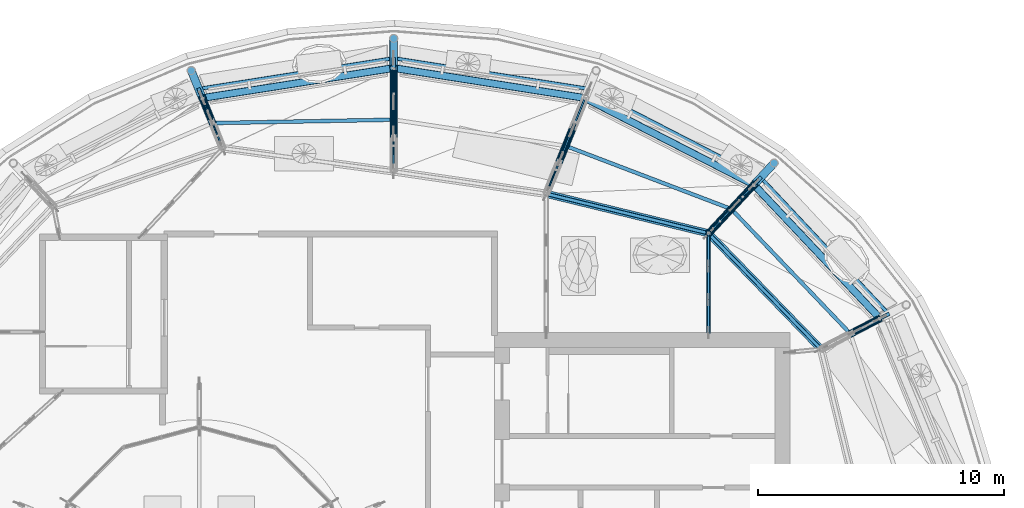
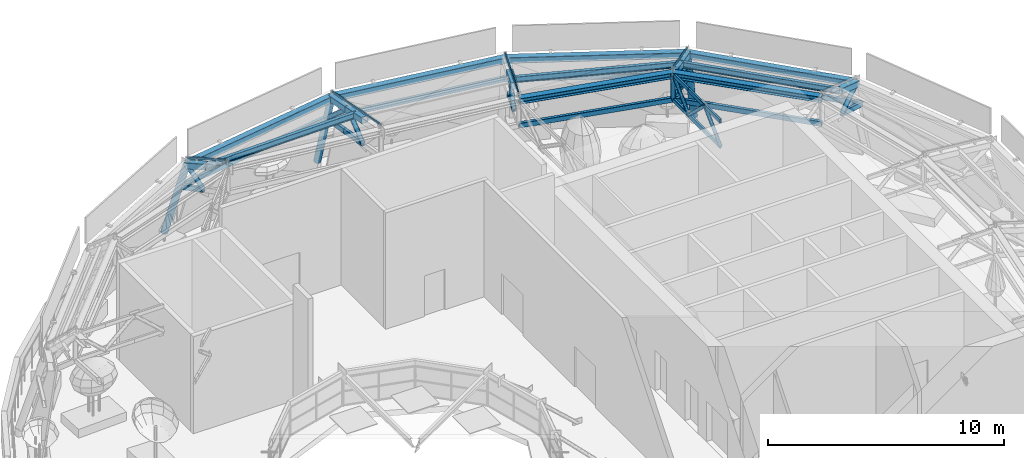
# One storey, part 13 of 40: 41 members, 12 beams, 2 elements without a shape of their own.
"""IFC4 building model written with IfcOpenShell, lengths in metres."""

from ifc_helpers import new_model, si_unit, direction, frame, origin, origin_2d, place, context, subcontext, project, spatial, rectangle, hollow_rectangle, hollow_circle, i_section, extrude, material, material_profile, profile_set, type_object, element, aggregate, save


model = new_model("IFC4")

# Units and contexts
model_context = context("Model", 3, precision=1e-05, world=origin(), true_north=direction((0.0, 1.0)))
body_context = subcontext(model_context, "Body", "Model", "MODEL_VIEW")
ifc_project = project(units=[si_unit("LENGTHUNIT", "METRE"), si_unit("AREAUNIT", "SQUARE_METRE"), si_unit("VOLUMEUNIT", "CUBIC_METRE"), si_unit("PLANEANGLEUNIT", "RADIAN"), si_unit("MASSUNIT", "GRAM", prefix="KILO")], contexts=[model_context])

# Site, building, storey
site_placement = place(None, origin())
site = spatial("IfcSite", under=ifc_project, at=site_placement, CompositionType="ELEMENT")
building_placement = place(site_placement, origin())
building = spatial("IfcBuilding", under=site, at=building_placement, Name="Taillehof Tower", CompositionType="ELEMENT")
storey_placement = place(building_placement, frame((0.0, 0.0, 275.199951171875)))
storey = spatial("IfcBuildingStorey", under=building, at=storey_placement, Name="L77", CompositionType="ELEMENT", Elevation=275.199951171875)

# Beams
ifc_material_1 = material(Name="Steel S460M", Category="steel")
ifc_material_profile_1 = material_profile(ifc_material_1, i_section(OverallWidth=0.300048828125, OverallDepth=0.2900390625, WebThickness=0.008544921875, FlangeThickness=0.013916015625, FilletRadius=0.027099609375, at=origin_2d()), Name="HEA 300")
ifc_profile_set_1 = profile_set([ifc_material_profile_1], Name="Steel S460M")
beam_type_1 = type_object("IfcBeamType", Name="Canopy apex ring beam HEA 300", PredefinedType="BEAM", material=ifc_profile_set_1)
beam_1_placement = place(storey_placement, frame((17.267333984375, 9.326416015625, 5.10009765625), z_axis=(-0.696492292005, 0.7175642739, 0.0), x_axis=(-0.7175642739, -0.696492292005, 0.0)))
element("IfcBeam", 1, at=beam_1_placement, inside=storey, type_object=beam_type_1, Name="Canopy ring beam CR20", PredefinedType="BEAM", context=body_context, shape_type="SweptSolid", body=[
    extrude(i_section(OverallWidth=0.300048828125, OverallDepth=0.2900390625, WebThickness=0.008544921875, FlangeThickness=0.013916015625, FilletRadius=0.027099609375, at=origin_2d()), origin(), (0.0, 0.0, 1.0), 6.5576171875),
])
beam_2_placement = place(storey_placement, frame((12.699951171875, 14.031982421875, 5.10009765625), z_axis=(-0.971635685089, 0.236482759334, 0.0), x_axis=(-0.236482759334, -0.971635685089, 0.0)))
element("IfcBeam", 2, at=beam_2_placement, inside=storey, type_object=beam_type_1, Name="Canopy ring beam CR21", PredefinedType="BEAM", context=body_context, shape_type="SweptSolid", body=[
    extrude(i_section(OverallWidth=0.300048828125, OverallDepth=0.2900390625, WebThickness=0.008544921875, FlangeThickness=0.013916015625, FilletRadius=0.027099609375, at=origin_2d()), origin(), (0.0, 0.0, 1.0), 6.791015625),
])

# Curtain wall, member
ifc_material_2 = material(Name="Aluminium glazing bars with clear laminated safety glass", Category="aluminium")
curtain_wall_type = type_object("IfcCurtainWallType", Name="Canopy glazing", PredefinedType="NOTDEFINED", material=ifc_material_2)
curtain_wall_1_placement = place(storey_placement, origin())
curtain_wall_1 = element("IfcCurtainWall", 3, at=curtain_wall_1_placement, inside=storey, type_object=curtain_wall_type, Name="Canopy glazing 1", PredefinedType="NOTDEFINED")
ifc_material_3 = material(Name="Aluminium glazing bar", Category="aluminium")
ifc_material_profile_2 = material_profile(ifc_material_3, rectangle(XDim=0.06005859375, YDim=0.070068359375, at=origin_2d()), Name="AL 60x70")
ifc_profile_set_2 = profile_set([ifc_material_profile_2], Name="Aluminium glazing bar")
member_type_1 = type_object("IfcMemberType", Name="Canopy glazing bar 60x70", PredefinedType="USERDEFINED", material=ifc_profile_set_2)
member_1_placement = place(storey_placement, frame((14.541015625, 16.007080078125, 4.61767578125), z_axis=(-0.653756128122, -0.701350891991, 0.284094792714), x_axis=(0.731491106934, -0.681850981136, 0.0)))
member_1 = element("IfcMember", 4, at=member_1_placement, type_object=member_type_1, Name="Canopy glazing bar 3", ObjectType="TRANSOM", PredefinedType="USERDEFINED", context=body_context, shape_type="SweptSolid", body=[
    extrude(rectangle(XDim=0.06005859375, YDim=0.070068359375, at=origin_2d()), origin(), (0.0, 0.0, 1.0), 2.816162109375),
])
aggregate(curtain_wall_1, [member_1])

# Curtain wall, members
curtain_wall_2_placement = place(storey_placement, origin())
curtain_wall_2 = element("IfcCurtainWall", 5, at=curtain_wall_2_placement, inside=storey, type_object=curtain_wall_type, Name="Canopy glazing 2", PredefinedType="NOTDEFINED")
member_2_placement = place(storey_placement, frame((7.676025390625, 19.531982421875, 4.61767578125), z_axis=(-0.368324037721, -0.910675616438, 0.187102444832), x_axis=(0.927046887199, -0.374945421274, 0.0)))
member_2 = element("IfcMember", 6, at=member_2_placement, type_object=member_type_1, Name="Canopy glazing bar 4", ObjectType="TRANSOM", PredefinedType="USERDEFINED", context=body_context, shape_type="SweptSolid", body=[
    extrude(rectangle(XDim=0.06005859375, YDim=0.070068359375, at=origin_2d()), origin(), (0.0, 0.0, 1.0), 4.27587890625),
])
member_3_placement = place(storey_placement, frame((-0.10009765625, 20.75, 4.626220703125), z_axis=(0.0, -0.982336067315, 0.187125227727), x_axis=(1.0, 0.0, 0.0)))
member_3 = element("IfcMember", 7, at=member_3_placement, type_object=member_type_1, Name="Canopy glazing bar 5", ObjectType="TRANSOM", PredefinedType="USERDEFINED", context=body_context, shape_type="SweptSolid", body=[
    extrude(rectangle(XDim=0.06005859375, YDim=0.070068359375, at=origin_2d()), origin(), (0.0, 0.0, 1.0), 4.275390625),
])
member_4_placement = place(storey_placement, frame((-7.8759765625, 19.531982421875, 4.658203125), z_axis=(0.35232511287, -0.871272164291, 0.341689669983), x_axis=(0.927069869209, 0.374888593592, 0.0)))
member_4 = element("IfcMember", 8, at=member_4_placement, type_object=member_type_1, Name="Canopy glazing bar 6", ObjectType="TRANSOM", PredefinedType="USERDEFINED", context=body_context, shape_type="SweptSolid", body=[
    extrude(rectangle(XDim=0.06005859375, YDim=0.070068359375, at=origin_2d()), origin(), (0.0, 0.0, 1.0), 2.341552734375),
])
aggregate(curtain_wall_2, [member_2, member_3, member_4])

# Member
ifc_material_4 = material(Name="Steel S460M", Category="steel")
ifc_material_profile_3 = material_profile(ifc_material_4, hollow_circle(Radius=0.109619140625, WallThickness=0.012451171875, at=origin_2d()), Name="CHS 219.1x12.5")
ifc_profile_set_3 = profile_set([ifc_material_profile_3], Name="Steel S460M")
member_type_2 = type_object("IfcMemberType", Name="Canopy inner ring post CHS 219.1x12.5", PredefinedType="POST", material=ifc_profile_set_3)
member_5_placement = place(storey_placement, frame((12.699951171875, 14.031982421875, 3.800048828125), z_axis=(0.0, 0.0, 1.0), x_axis=(1.0, 0.0, 0.0)))
element("IfcMember", 9, at=member_5_placement, inside=storey, type_object=member_type_2, Name="Canopy ring post RP03", PredefinedType="POST", context=body_context, shape_type="SweptSolid", body=[
    extrude(hollow_circle(Radius=0.109619140625, WallThickness=0.012451171875, at=origin_2d()), origin(), (0.0, 0.0, 1.0), 1.300048828125),
])

# Beams
ifc_material_5 = material(Name="Steel S460M", Category="steel")
ifc_material_profile_4 = material_profile(ifc_material_5, hollow_rectangle(XDim=0.14990234375, YDim=0.25, WallThickness=0.010009765625, InnerFilletRadius=0.010009765625, OuterFilletRadius=0.014892578125, at=origin_2d()), Name="RHS 250x150x10")
ifc_profile_set_4 = profile_set([ifc_material_profile_4], Name="Steel S460M")
beam_type_2 = type_object("IfcBeamType", Name="Canopy lower ring beam RHS 250x150x10", PredefinedType="BEAM", material=ifc_profile_set_4)
beam_3_placement = place(storey_placement, frame((20.01806640625, 10.756103515625, 3.0), z_axis=(-0.684472827532, 0.729038372358, 0.0), x_axis=(-0.729038372358, -0.684472827532, 0.0)))
element("IfcBeam", 10, at=beam_3_placement, inside=storey, type_object=beam_type_2, Name="Canopy lower ring beam CB02", PredefinedType="BEAM", context=body_context, shape_type="SweptSolid", body=[
    extrude(hollow_rectangle(XDim=0.14990234375, YDim=0.25, WallThickness=0.010009765625, InnerFilletRadius=0.010009765625, OuterFilletRadius=0.014892578125, at=origin_2d()), origin(), (0.0, 0.0, 1.0), 7.603759765625),
])
beam_4_placement = place(storey_placement, frame((14.8134765625, 16.299560546875, 3.0), z_axis=(-0.888805934335, 0.458283766995, 0.0), x_axis=(-0.458283766995, -0.888805934335, 0.0)))
element("IfcBeam", 11, at=beam_4_placement, inside=storey, type_object=beam_type_2, Name="Canopy lower ring beam CB03", PredefinedType="BEAM", context=body_context, shape_type="SweptSolid", body=[
    extrude(hollow_rectangle(XDim=0.14990234375, YDim=0.25, WallThickness=0.010009765625, InnerFilletRadius=0.010009765625, OuterFilletRadius=0.014892578125, at=origin_2d()), origin(), (0.0, 0.0, 1.0), 7.862060546875),
])
beam_5_placement = place(storey_placement, frame((7.82568359375, 19.902587890625, 3.0), z_axis=(-0.987842035216, 0.155460970858, 0.0), x_axis=(-0.155460970858, -0.987842035216, 0.0)))
element("IfcBeam", 12, at=beam_5_placement, inside=storey, type_object=beam_type_2, Name="Canopy lower ring beam CB04", PredefinedType="BEAM", context=body_context, shape_type="SweptSolid", body=[
    extrude(hollow_rectangle(XDim=0.14990234375, YDim=0.25, WallThickness=0.010009765625, InnerFilletRadius=0.010009765625, OuterFilletRadius=0.014892578125, at=origin_2d()), origin(), (0.0, 0.0, 1.0), 8.0234375),
])
beam_6_placement = place(storey_placement, frame((-0.10009765625, 21.14990234375, 3.0), z_axis=(-0.987841299775, -0.155465643981, 0.0), x_axis=(0.155465643981, -0.987841299775, 0.0)))
element("IfcBeam", 13, at=beam_6_placement, inside=storey, type_object=beam_type_2, Name="Canopy lower ring beam CB05", PredefinedType="BEAM", context=body_context, shape_type="SweptSolid", body=[
    extrude(hollow_rectangle(XDim=0.14990234375, YDim=0.25, WallThickness=0.010009765625, InnerFilletRadius=0.010009765625, OuterFilletRadius=0.014892578125, at=origin_2d()), origin(), (0.0, 0.0, 1.0), 8.023193359375),
])
beam_7_placement = place(storey_placement, frame((17.267333984375, 9.326416015625, 3.800048828125), z_axis=(-0.696492292005, 0.7175642739, 0.0), x_axis=(-0.7175642739, -0.696492292005, 0.0)))
element("IfcBeam", 14, at=beam_7_placement, inside=storey, type_object=beam_type_2, Name="Canopy lower ring beam CB20", PredefinedType="BEAM", context=body_context, shape_type="SweptSolid", body=[
    extrude(hollow_rectangle(XDim=0.14990234375, YDim=0.25, WallThickness=0.010009765625, InnerFilletRadius=0.010009765625, OuterFilletRadius=0.014892578125, at=origin_2d()), origin(), (0.0, 0.0, 1.0), 6.5576171875),
])
beam_8_placement = place(storey_placement, frame((12.699951171875, 14.031982421875, 3.800048828125), z_axis=(-0.971635685089, 0.236482759334, 0.0), x_axis=(-0.236482759334, -0.971635685089, 0.0)))
element("IfcBeam", 15, at=beam_8_placement, inside=storey, type_object=beam_type_2, Name="Canopy lower ring beam CB21", PredefinedType="BEAM", context=body_context, shape_type="SweptSolid", body=[
    extrude(hollow_rectangle(XDim=0.14990234375, YDim=0.25, WallThickness=0.010009765625, InnerFilletRadius=0.010009765625, OuterFilletRadius=0.014892578125, at=origin_2d()), origin(), (0.0, 0.0, 1.0), 6.791015625),
])

# Members
ifc_material_6 = material(Name="Steel S460M", Category="steel")
ifc_material_profile_5 = material_profile(ifc_material_6, i_section(OverallWidth=0.14990234375, OverallDepth=0.300048828125, WebThickness=0.007080078125, FlangeThickness=0.0107421875, FilletRadius=0.014892578125, at=origin_2d()), Name="IPE 300")
ifc_profile_set_5 = profile_set([ifc_material_profile_5], Name="Steel S460M")
member_type_3 = type_object("IfcMemberType", Name="Canopy purlin IPE 300", PredefinedType="PURLIN", material=ifc_profile_set_5)
member_6_placement = place(storey_placement, frame((18.465087890625, 9.948974609375, 4.699951171875), z_axis=(-0.690804390153, 0.72304169627, 0.0), x_axis=(-0.72304169627, -0.690804390153, 0.0)))
element("IfcMember", 16, at=member_6_placement, inside=storey, type_object=member_type_3, Name="Canopy purlin CP02", PredefinedType="PURLIN", context=body_context, shape_type="SweptSolid", body=[
    extrude(i_section(OverallWidth=0.14990234375, OverallDepth=0.300048828125, WebThickness=0.007080078125, FlangeThickness=0.0107421875, FilletRadius=0.014892578125, at=origin_2d()), origin(), (0.0, 0.0, 1.0), 7.0126953125),
])
member_7_placement = place(storey_placement, frame((13.62060546875, 15.01953125, 4.699951171875), z_axis=(-0.934451225328, 0.356091150526, 0.0), x_axis=(-0.356091150526, -0.934451225328, 0.0)))
element("IfcMember", 17, at=member_7_placement, inside=storey, type_object=member_type_3, Name="Canopy purlin CP03", PredefinedType="PURLIN", context=body_context, shape_type="SweptSolid", body=[
    extrude(i_section(OverallWidth=0.14990234375, OverallDepth=0.300048828125, WebThickness=0.007080078125, FlangeThickness=0.0107421875, FilletRadius=0.014892578125, at=origin_2d()), origin(), (0.0, 0.0, 1.0), 7.204345703125),
])
member_8_placement = place(storey_placement, frame((-0.10009765625, 18.64990234375, 4.699951171875), z_axis=(-0.999824575626, -0.018730135452, 0.0), x_axis=(0.018730135452, -0.999824575626, 0.0)))
element("IfcMember", 18, at=member_8_placement, inside=storey, type_object=member_type_3, Name="Canopy purlin CP05", PredefinedType="PURLIN", context=body_context, shape_type="SweptSolid", body=[
    extrude(i_section(OverallWidth=0.14990234375, OverallDepth=0.300048828125, WebThickness=0.007080078125, FlangeThickness=0.0107421875, FilletRadius=0.014892578125, at=origin_2d()), origin(), (0.0, 0.0, 1.0), 7.364501953125),
])
ifc_material_7 = material(Name="Steel S460M", Category="steel")
ifc_material_profile_6 = material_profile(ifc_material_7, hollow_rectangle(XDim=0.300048828125, YDim=0.300048828125, WallThickness=0.012451171875, InnerFilletRadius=0.012451171875, OuterFilletRadius=0.018798828125, at=origin_2d()), Name="RHS 300x300x12.5")
ifc_profile_set_6 = profile_set([ifc_material_profile_6], Name="Steel S460M")
member_type_4 = type_object("IfcMemberType", Name="Canopy rafter RHS 300x300x12.5", PredefinedType="RAFTER", material=ifc_profile_set_6)
for number, where, z_axis, x_axis, name in (
    (19, (19.6630859375, 10.571533203125, 4.300048828125), (-0.850752269432, -0.442196960263, 0.284046518004), (0.461193280732, -0.887299700106, 0.0), "Canopy rafter 02 top chord 1"),
    (20, (14.540771484375, 16.007080078125, 4.300048828125), (-0.653722583139, -0.701407917453, 0.284031191295), (0.731536206298, -0.681802595239, 0.0), "Canopy rafter 03 top chord 1"),
    (21, (13.620361328125, 15.01953125, 4.699951171875), (-0.653690378969, -0.701373364172, 0.284190591812), (0.731536206298, -0.681802595239, 0.0), "Canopy rafter 03 top chord 2"),
):
    element("IfcMember", number, at=place(storey_placement, frame(where, z_axis=z_axis, x_axis=x_axis)), inside=storey, type_object=member_type_4, Name=name, PredefinedType="RAFTER", context=body_context, shape_type="SweptSolid", body=[
        extrude(hollow_rectangle(XDim=0.300048828125, YDim=0.300048828125, WallThickness=0.012451171875, InnerFilletRadius=0.012451171875, OuterFilletRadius=0.018798828125, at=origin_2d()), origin(), (0.0, 0.0, 1.0), 1.407958984375),
    ])
for number, where, z_axis, x_axis, name in (
    (22, (7.15087890625, 18.23388671875, 4.566650390625), (-0.368157034019, -0.910713258653, 0.187247853971), (0.927111355039, -0.374785986076, 0.0), "Canopy rafter 04 top chord 2"),
    (23, (-0.10009765625, 20.75, 4.300048828125), (0.0, -0.982344563966, 0.187080618042), (1.0, 0.0, 0.0), "Canopy rafter 05 top chord 1"),
):
    element("IfcMember", number, at=place(storey_placement, frame(where, z_axis=z_axis, x_axis=x_axis)), inside=storey, type_object=member_type_4, Name=name, PredefinedType="RAFTER", context=body_context, shape_type="SweptSolid", body=[
        extrude(hollow_rectangle(XDim=0.300048828125, YDim=0.300048828125, WallThickness=0.012451171875, InnerFilletRadius=0.012451171875, OuterFilletRadius=0.018798828125, at=origin_2d()), origin(), (0.0, 0.0, 1.0), 1.425048828125),
    ])
member_9_placement = place(storey_placement, frame((-0.10009765625, 19.35009765625, 4.566650390625), z_axis=(0.0, -0.982319071342, 0.187214428069), x_axis=(1.0, 0.0, 0.0)))
element("IfcMember", 24, at=member_9_placement, inside=storey, type_object=member_type_4, Name="Canopy rafter 05 top chord 2", PredefinedType="RAFTER", context=body_context, shape_type="SweptSolid", body=[
    extrude(hollow_rectangle(XDim=0.300048828125, YDim=0.300048828125, WallThickness=0.012451171875, InnerFilletRadius=0.012451171875, OuterFilletRadius=0.018798828125, at=origin_2d()), origin(), (0.0, 0.0, 1.0), 1.42529296875),
])
member_10_placement = place(storey_placement, frame((-7.875732421875, 19.53173828125, 4.300048828125), z_axis=(0.352310350858, -0.871284982553, 0.341672205272), x_axis=(0.92707724492, 0.374870353524, 0.0)))
element("IfcMember", 25, at=member_10_placement, inside=storey, type_object=member_type_4, Name="Canopy rafter 06 top chord 1", PredefinedType="RAFTER", context=body_context, shape_type="SweptSolid", body=[
    extrude(hollow_rectangle(XDim=0.300048828125, YDim=0.300048828125, WallThickness=0.012451171875, InnerFilletRadius=0.012451171875, OuterFilletRadius=0.018798828125, at=origin_2d()), origin(), (0.0, 0.0, 1.0), 1.17041015625),
])
ifc_material_8 = material(Name="Steel S460M", Category="steel")
ifc_material_profile_7 = material_profile(ifc_material_8, hollow_rectangle(XDim=0.14990234375, YDim=0.25, WallThickness=0.010009765625, InnerFilletRadius=0.010009765625, OuterFilletRadius=0.014892578125, at=origin_2d()), Name="RHS 250x150x10")
ifc_profile_set_7 = profile_set([ifc_material_profile_7], Name="Steel S460M")
member_type_5 = type_object("IfcMemberType", Name="Canopy rafter bottom chord RHS 250x150x10", PredefinedType="CHORD", material=ifc_profile_set_7)
for number, where, z_axis, x_axis, name in (
    (26, (20.01806640625, 10.756103515625, 3.0), (-0.859122412204, -0.44656673583, 0.249973661211), (0.461208902357, -0.887291580252, 0.0), "Canopy rafter 02 bottom chord 1"),
    (27, (14.8134765625, 16.299560546875, 3.0), (-0.660217763899, -0.70825855753, 0.249964637337), (0.73147939547, -0.681863545002, 0.0), "Canopy rafter 03 bottom chord 1"),
):
    element("IfcMember", number, at=place(storey_placement, frame(where, z_axis=z_axis, x_axis=x_axis)), inside=storey, type_object=member_type_5, Name=name, PredefinedType="CHORD", context=body_context, shape_type="SweptSolid", body=[
        extrude(hollow_rectangle(XDim=0.14990234375, YDim=0.25, WallThickness=0.010009765625, InnerFilletRadius=0.010009765625, OuterFilletRadius=0.014892578125, at=origin_2d()), origin(), (0.0, 0.0, 1.0), 1.600830078125),
    ])
member_11_placement = place(storey_placement, frame((13.756591796875, 15.165771484375, 3.400146484375), z_axis=(-0.660156882364, -0.708356876547, 0.249846805294), x_axis=(0.731557960496, -0.681779253451, 0.0)))
element("IfcMember", 28, at=member_11_placement, inside=storey, type_object=member_type_5, Name="Canopy rafter 03 bottom chord 2", PredefinedType="CHORD", context=body_context, shape_type="SweptSolid", body=[
    extrude(hollow_rectangle(XDim=0.14990234375, YDim=0.25, WallThickness=0.010009765625, InnerFilletRadius=0.010009765625, OuterFilletRadius=0.014892578125, at=origin_2d()), origin(), (0.0, 0.0, 1.0), 1.6005859375),
])
member_12_placement = place(storey_placement, frame((7.2509765625, 18.481201171875, 3.2666015625), z_axis=(-0.369242777482, -0.913381772845, 0.171445350802), x_axis=(0.927108888624, -0.374792087209, 0.0)))
element("IfcMember", 29, at=member_12_placement, inside=storey, type_object=member_type_5, Name="Canopy rafter 04 bottom chord 2", PredefinedType="CHORD", context=body_context, shape_type="SweptSolid", body=[
    extrude(hollow_rectangle(XDim=0.14990234375, YDim=0.25, WallThickness=0.010009765625, InnerFilletRadius=0.010009765625, OuterFilletRadius=0.014892578125, at=origin_2d()), origin(), (0.0, 0.0, 1.0), 1.556396484375),
])
member_13_placement = place(storey_placement, frame((-0.10009765625, 21.14990234375, 3.0), z_axis=(0.0, -0.985216360162, 0.171314691926), x_axis=(1.0, 0.0, 0.0)))
element("IfcMember", 30, at=member_13_placement, inside=storey, type_object=member_type_5, Name="Canopy rafter 05 bottom chord 1", PredefinedType="CHORD", context=body_context, shape_type="SweptSolid", body=[
    extrude(hollow_rectangle(XDim=0.14990234375, YDim=0.25, WallThickness=0.010009765625, InnerFilletRadius=0.010009765625, OuterFilletRadius=0.014892578125, at=origin_2d()), origin(), (0.0, 0.0, 1.0), 1.55615234375),
])
member_14_placement = place(storey_placement, frame((-0.10009765625, 19.61669921875, 3.2666015625), z_axis=(0.0, -0.985194481582, 0.171440466227), x_axis=(1.0, 0.0, 0.0)))
element("IfcMember", 31, at=member_14_placement, inside=storey, type_object=member_type_5, Name="Canopy rafter 05 bottom chord 2", PredefinedType="CHORD", context=body_context, shape_type="SweptSolid", body=[
    extrude(hollow_rectangle(XDim=0.14990234375, YDim=0.25, WallThickness=0.010009765625, InnerFilletRadius=0.010009765625, OuterFilletRadius=0.014892578125, at=origin_2d()), origin(), (0.0, 0.0, 1.0), 1.556396484375),
])
member_15_placement = place(storey_placement, frame((-8.025634765625, 19.902587890625, 3.0), z_axis=(0.3582932524, -0.886039826576, 0.294209739821), x_axis=(0.927071181595, 0.374885348149, 0.0)))
element("IfcMember", 32, at=member_15_placement, inside=storey, type_object=member_type_5, Name="Canopy rafter 06 bottom chord 1", PredefinedType="CHORD", context=body_context, shape_type="SweptSolid", body=[
    extrude(hollow_rectangle(XDim=0.14990234375, YDim=0.25, WallThickness=0.010009765625, InnerFilletRadius=0.010009765625, OuterFilletRadius=0.014892578125, at=origin_2d()), origin(), (0.0, 0.0, 1.0), 1.360107421875),
])
ifc_material_9 = material(Name="Steel S460M", Category="steel")
ifc_material_profile_8 = material_profile(ifc_material_9, hollow_circle(Radius=0.109619140625, WallThickness=0.012451171875, at=origin_2d()), Name="CHS 219.1x12.5")
ifc_profile_set_8 = profile_set([ifc_material_profile_8], Name="Steel S460M")
member_type_6 = type_object("IfcMemberType", Name="Canopy rafter diagonal CHS 219.1x12.5", PredefinedType="BRACE", material=ifc_profile_set_8)
member_16_placement = place(storey_placement, frame((19.6630859375, 10.571533203125, 4.300048828125), z_axis=(-0.698753025013, -0.363170990746, -0.616320567169), x_axis=(0.461172223193, -0.887310644901, 0.0)))
element("IfcMember", 33, at=member_16_placement, inside=storey, type_object=member_type_6, Name="Canopy rafter 02 diagonal 1", PredefinedType="BRACE", context=body_context, shape_type="SweptSolid", body=[
    extrude(hollow_circle(Radius=0.109619140625, WallThickness=0.012451171875, at=origin_2d()), origin(), (0.0, 0.0, 1.0), 1.460205078125),
])
member_17_placement = place(storey_placement, frame((14.540771484375, 16.007080078125, 4.300048828125), z_axis=(-0.536988195948, -0.576108755677, -0.616232406682), x_axis=(0.731506890134, -0.681834048494, 0.0)))
element("IfcMember", 34, at=member_17_placement, inside=storey, type_object=member_type_6, Name="Canopy rafter 03 diagonal 1", PredefinedType="BRACE", context=body_context, shape_type="SweptSolid", body=[
    extrude(hollow_circle(Radius=0.109619140625, WallThickness=0.012451171875, at=origin_2d()), origin(), (0.0, 0.0, 1.0), 1.46044921875),
])
member_18_placement = place(storey_placement, frame((13.756591796875, 15.165771484375, 3.400146484375), z_axis=(-0.459330782079, -0.492867872453, 0.738983418581), x_axis=(0.731557960496, -0.681779253451, 0.0)))
element("IfcMember", 35, at=member_18_placement, inside=storey, type_object=member_type_6, Name="Canopy rafter 03 diagonal 2", PredefinedType="BRACE", context=body_context, shape_type="SweptSolid", body=[
    extrude(hollow_circle(Radius=0.109619140625, WallThickness=0.012451171875, at=origin_2d()), origin(), (0.0, 0.0, 1.0), 2.30029296875),
])
member_19_placement = place(storey_placement, frame((7.15087890625, 18.23388671875, 4.566650390625), z_axis=(-0.29035935354, -0.718430293481, -0.632099168818), x_axis=(0.927141412931, -0.374711623022, 0.0)))
element("IfcMember", 36, at=member_19_placement, inside=storey, type_object=member_type_6, Name="Canopy rafter 04 diagonal 2", PredefinedType="BRACE", context=body_context, shape_type="SweptSolid", body=[
    extrude(hollow_circle(Radius=0.109619140625, WallThickness=0.012451171875, at=origin_2d()), origin(), (0.0, 0.0, 1.0), 1.634521484375),
])
member_20_placement = place(storey_placement, frame((-0.10009765625, 21.14990234375, 3.0), z_axis=(0.0, -0.754272815944, 0.656561131296), x_axis=(1.0, 0.0, 0.0)))
element("IfcMember", 37, at=member_20_placement, inside=storey, type_object=member_type_6, Name="Canopy rafter 05 diagonal 1", PredefinedType="BRACE", context=body_context, shape_type="SweptSolid", body=[
    extrude(hollow_circle(Radius=0.109619140625, WallThickness=0.012451171875, at=origin_2d()), origin(), (0.0, 0.0, 1.0), 2.38623046875),
])
member_21_placement = place(storey_placement, frame((-0.10009765625, 19.35009765625, 4.566650390625), z_axis=(0.0, -0.774947790015, -0.632025254836), x_axis=(1.0, 0.0, 0.0)))
element("IfcMember", 38, at=member_21_placement, inside=storey, type_object=member_type_6, Name="Canopy rafter 05 diagonal 2", PredefinedType="BRACE", context=body_context, shape_type="SweptSolid", body=[
    extrude(hollow_circle(Radius=0.109619140625, WallThickness=0.012451171875, at=origin_2d()), origin(), (0.0, 0.0, 1.0), 1.634765625),
])
member_22_placement = place(storey_placement, frame((-7.875732421875, 19.53173828125, 4.300048828125), z_axis=(0.265120903772, -0.65551239377, -0.707116969106), x_axis=(0.927047874572, 0.37494298, 0.0)))
element("IfcMember", 39, at=member_22_placement, inside=storey, type_object=member_type_6, Name="Canopy rafter 06 diagonal 1", PredefinedType="BRACE", context=body_context, shape_type="SweptSolid", body=[
    extrude(hollow_circle(Radius=0.109619140625, WallThickness=0.012451171875, at=origin_2d()), origin(), (0.0, 0.0, 1.0), 1.272705078125),
])
ifc_material_10 = material(Name="Steel S460M", Category="steel")
ifc_material_profile_9 = material_profile(ifc_material_10, hollow_circle(Radius=0.161865234375, WallThickness=0.01611328125, at=origin_2d()), Name="CHS 323.9x16")
ifc_profile_set_9 = profile_set([ifc_material_profile_9], Name="Steel S460M")
member_type_7 = type_object("IfcMemberType", Name="Canopy raking column CHS 323.9x16", PredefinedType="POST", material=ifc_profile_set_9)
for number, where, z_axis, x_axis, name in (
    (40, (15.359130859375, 16.884765625, 0.300048828125), (-0.195961282914, -0.210167306705, 0.957825077345), (0.73139345201, -0.681955730497, 0.0), "Canopy raking column CC03"),
    (41, (-0.10009765625, 21.949951171875, 0.300048828125), (0.0, -0.287337158709, 0.957829503213), (1.0, 0.0, 0.0), "Canopy raking column CC05"),
):
    element("IfcMember", number, at=place(storey_placement, frame(where, z_axis=z_axis, x_axis=x_axis)), inside=storey, type_object=member_type_7, Name=name, PredefinedType="POST", context=body_context, shape_type="SweptSolid", body=[
        extrude(hollow_circle(Radius=0.161865234375, WallThickness=0.01611328125, at=origin_2d()), origin(), (0.0, 0.0, 1.0), 4.176025390625),
    ])
member_23_placement = place(storey_placement, frame((-8.32568359375, 20.644287109375, 0.300048828125), z_axis=(0.107743082361, -0.266405440217, 0.9578202178), x_axis=(0.927052903171, 0.374930546531, 0.0)))
element("IfcMember", 42, at=member_23_placement, inside=storey, type_object=member_type_7, Name="Canopy raking column CC06", PredefinedType="POST", context=body_context, shape_type="SweptSolid", body=[
    extrude(hollow_circle(Radius=0.161865234375, WallThickness=0.01611328125, at=origin_2d()), origin(), (0.0, 0.0, 1.0), 4.17626953125),
])

# Beams
ifc_material_11 = material(Name="Steel S460M", Category="steel")
ifc_material_profile_10 = material_profile(ifc_material_11, hollow_rectangle(XDim=0.300048828125, YDim=0.300048828125, WallThickness=0.012451171875, InnerFilletRadius=0.012451171875, OuterFilletRadius=0.018798828125, at=origin_2d()), Name="RHS 300x300x12.5")
ifc_profile_set_10 = profile_set([ifc_material_profile_10], Name="Steel S460M")
beam_type_3 = type_object("IfcBeamType", Name="Canopy ring beam RHS 300x300x12.5", PredefinedType="BEAM", material=ifc_profile_set_10)
beam_9_placement = place(storey_placement, frame((19.6630859375, 10.571533203125, 4.300048828125), z_axis=(-0.685826451251, 0.727765126098, 0.0), x_axis=(-0.727765126098, -0.685826451251, 0.0)))
element("IfcBeam", 43, at=beam_9_placement, inside=storey, type_object=beam_type_3, Name="Canopy ring beam CR02", PredefinedType="BEAM", context=body_context, shape_type="SweptSolid", body=[
    extrude(hollow_rectangle(XDim=0.300048828125, YDim=0.300048828125, WallThickness=0.012451171875, InnerFilletRadius=0.012451171875, OuterFilletRadius=0.018798828125, at=origin_2d()), origin(), (0.0, 0.0, 1.0), 7.46875),
])
beam_10_placement = place(storey_placement, frame((14.540771484375, 16.007080078125, 4.300048828125), z_axis=(-0.889598982071, 0.456742434089, 0.0), x_axis=(-0.456742434089, -0.889598982071, 0.0)))
element("IfcBeam", 44, at=beam_10_placement, inside=storey, type_object=beam_type_3, Name="Canopy ring beam CR03", PredefinedType="BEAM", context=body_context, shape_type="SweptSolid", body=[
    extrude(hollow_rectangle(XDim=0.300048828125, YDim=0.300048828125, WallThickness=0.012451171875, InnerFilletRadius=0.012451171875, OuterFilletRadius=0.018798828125, at=origin_2d()), origin(), (0.0, 0.0, 1.0), 7.717041015625),
])
beam_11_placement = place(storey_placement, frame((7.67578125, 19.53173828125, 4.300048828125), z_axis=(-0.987948374763, 0.154783748511, 0.0), x_axis=(-0.154783748511, -0.987948374763, 0.0)))
element("IfcBeam", 45, at=beam_11_placement, inside=storey, type_object=beam_type_3, Name="Canopy ring beam CR04", PredefinedType="BEAM", context=body_context, shape_type="SweptSolid", body=[
    extrude(hollow_rectangle(XDim=0.300048828125, YDim=0.300048828125, WallThickness=0.012451171875, InnerFilletRadius=0.012451171875, OuterFilletRadius=0.018798828125, at=origin_2d()), origin(), (0.0, 0.0, 1.0), 7.870849609375),
])
beam_12_placement = place(storey_placement, frame((-0.10009765625, 20.75, 4.300048828125), z_axis=(-0.987947631581, -0.154788491996, 0.0), x_axis=(0.154788491996, -0.987947631581, 0.0)))
element("IfcBeam", 46, at=beam_12_placement, inside=storey, type_object=beam_type_3, Name="Canopy ring beam CR05", PredefinedType="BEAM", context=body_context, shape_type="SweptSolid", body=[
    extrude(hollow_rectangle(XDim=0.300048828125, YDim=0.300048828125, WallThickness=0.012451171875, InnerFilletRadius=0.012451171875, OuterFilletRadius=0.018798828125, at=origin_2d()), origin(), (0.0, 0.0, 1.0), 7.87060546875),
])

# Members
ifc_material_12 = material(Name="Steel S460M", Category="steel")
ifc_material_profile_11 = material_profile(ifc_material_12, hollow_rectangle(XDim=0.10009765625, YDim=0.199951171875, WallThickness=0.008056640625, InnerFilletRadius=0.008056640625, OuterFilletRadius=0.011962890625, at=origin_2d()), Name="RHS 200x100x8")
ifc_profile_set_11 = profile_set([ifc_material_profile_11], Name="Steel S460M")
member_type_8 = type_object("IfcMemberType", Name="Canopy spur chord RHS 200x100x8", PredefinedType="CHORD", material=ifc_profile_set_11)
for number, where, z_axis, x_axis, name in (
    (47, (12.699951171875, 14.031982421875, 5.10009765625), (0.0, -1.0, 0.0), (1.0, 0.0, 0.0), "Canopy rafter S03 top chord 1"),
    (48, (12.699951171875, 14.031982421875, 3.800048828125), (0.0, -1.0, 0.0), (1.0, 0.0, 0.0), "Canopy rafter S03 bottom chord 1"),
    (49, (12.699951171875, 12.68798828125, 5.10009765625), (0.0, -1.0, 0.0), (1.0, 0.0, 0.0), "Canopy rafter S03 top chord 2"),
    (50, (12.699951171875, 12.68798828125, 3.800048828125), (0.0, -1.0, 0.0), (1.0, 0.0, 0.0), "Canopy rafter S03 bottom chord 2"),
    (51, (12.699951171875, 11.343994140625, 5.10009765625), (0.0, -1.0, 0.0), (1.0, 0.0, 0.0), "Canopy rafter S03 top chord 3"),
    (52, (12.699951171875, 11.343994140625, 3.800048828125), (0.0, -1.0, 0.0), (1.0, 0.0, 0.0), "Canopy rafter S03 bottom chord 3"),
):
    element("IfcMember", number, at=place(storey_placement, frame(where, z_axis=z_axis, x_axis=x_axis)), inside=storey, type_object=member_type_8, Name=name, PredefinedType="CHORD", context=body_context, shape_type="SweptSolid", body=[
        extrude(hollow_rectangle(XDim=0.10009765625, YDim=0.199951171875, WallThickness=0.008056640625, InnerFilletRadius=0.008056640625, OuterFilletRadius=0.011962890625, at=origin_2d()), origin(), (0.0, 0.0, 1.0), 1.343994140625),
    ])
ifc_material_13 = material(Name="Steel S460M", Category="steel")
ifc_material_profile_12 = material_profile(ifc_material_13, hollow_circle(Radius=0.084228515625, WallThickness=0.008056640625, at=origin_2d()), Name="CHS 168.3x8")
ifc_profile_set_12 = profile_set([ifc_material_profile_12], Name="Steel S460M")
member_type_9 = type_object("IfcMemberType", Name="Canopy spur diagonal CHS 168.3x8", PredefinedType="BRACE", material=ifc_profile_set_12)
for number, where, z_axis, x_axis, name in (
    (53, (12.699951171875, 14.031982421875, 5.10009765625), (0.0, -0.71875997984, -0.695258291126), (1.0, 0.0, 0.0), "Canopy rafter S03 diagonal 1"),
    (54, (12.699951171875, 12.68798828125, 3.800048828125), (0.0, -0.71875997984, 0.695258291126), (1.0, 0.0, 0.0), "Canopy rafter S03 diagonal 2"),
    (55, (12.699951171875, 11.343994140625, 5.10009765625), (0.0, -0.71875997984, -0.695258291126), (1.0, 0.0, 0.0), "Canopy rafter S03 diagonal 3"),
):
    element("IfcMember", number, at=place(storey_placement, frame(where, z_axis=z_axis, x_axis=x_axis)), inside=storey, type_object=member_type_9, Name=name, PredefinedType="BRACE", context=body_context, shape_type="SweptSolid", body=[
        extrude(hollow_circle(Radius=0.084228515625, WallThickness=0.008056640625, at=origin_2d()), origin(), (0.0, 0.0, 1.0), 1.869873046875),
    ])

save(model, "model.ifc")
